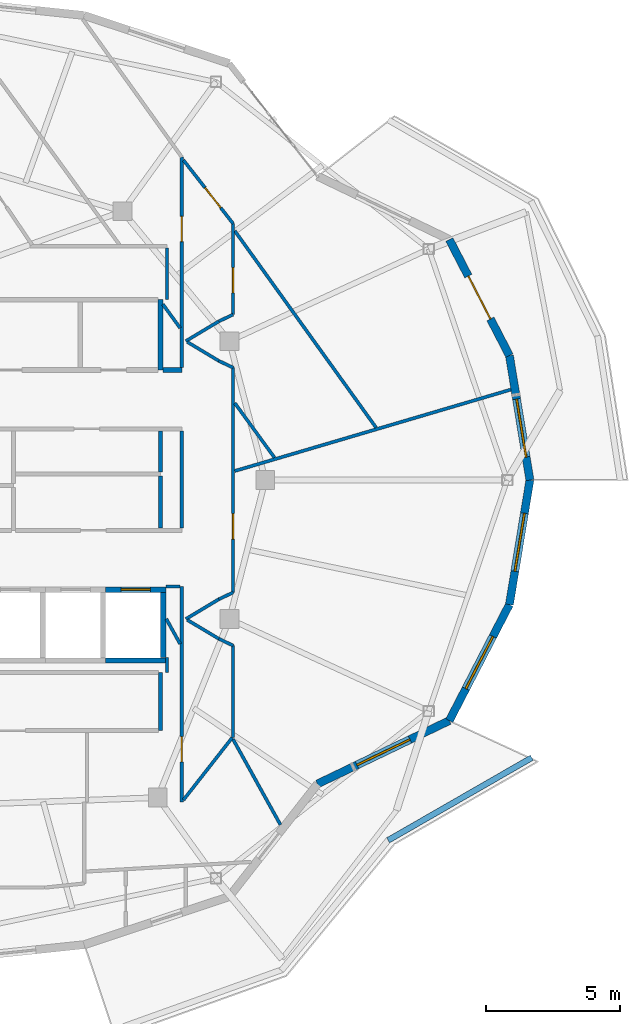
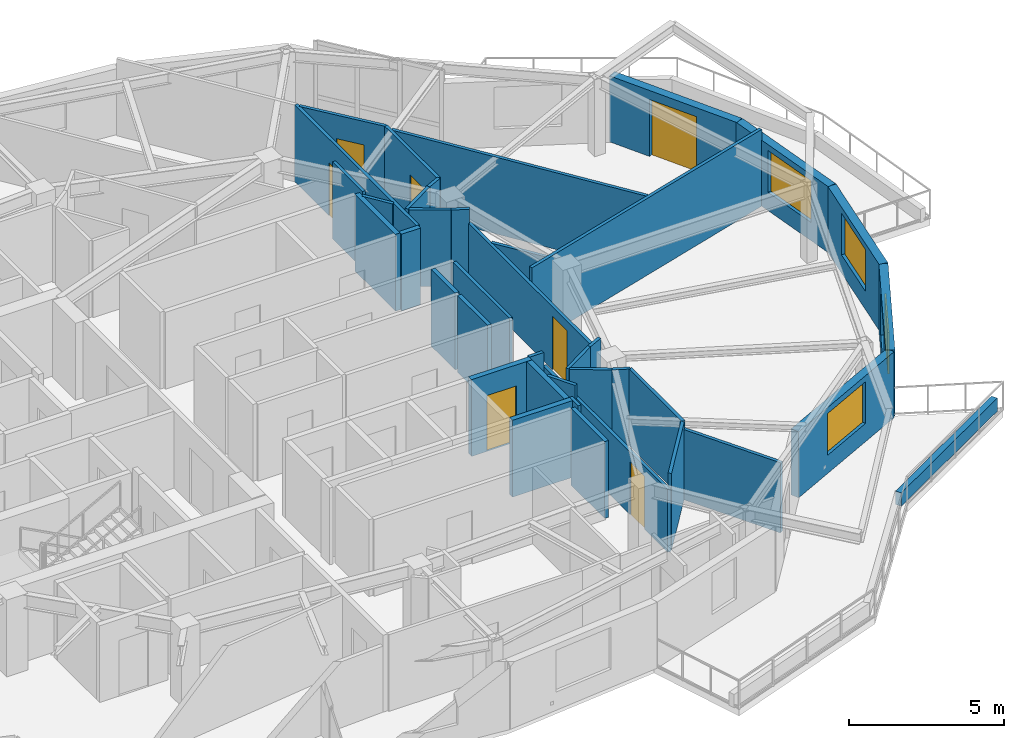
# One storey, part 10 of 14: 39 walls, 7 doors, 4 windows, 11 openings.
"""IFC4 building model written with IfcOpenShell, lengths in metres."""

from ifc_helpers import new_model, si_unit, direction, frame, frame_2d, origin, place, context, subcontext, project, spatial, rectangle, extrude, material, layer, layer_set, type_object, element, fill, save


model = new_model("IFC4")

# Units and contexts
model_context = context("Model", 3, precision=1e-05, world=origin(), true_north=direction((0.0, 1.0)))
body_context = subcontext(model_context, "Body", "Model", "MODEL_VIEW")
ifc_project = project(units=[si_unit("LENGTHUNIT", "METRE"), si_unit("AREAUNIT", "SQUARE_METRE"), si_unit("VOLUMEUNIT", "CUBIC_METRE"), si_unit("PLANEANGLEUNIT", "RADIAN"), si_unit("MASSUNIT", "GRAM", prefix="KILO")], contexts=[model_context])

# Site, building, storey
site_placement = place(None, origin())
site = spatial("IfcSite", under=ifc_project, at=site_placement, CompositionType="ELEMENT")
building_placement = place(site_placement, origin())
building = spatial("IfcBuilding", under=site, at=building_placement, Name="Kolvaren Gate Tower and Convention Centre", CompositionType="ELEMENT")
storey_placement = place(building_placement, frame((0.0, 0.0, 245.89990234375)))
storey = spatial("IfcBuildingStorey", under=building, at=storey_placement, Name="L66", CompositionType="ELEMENT", Elevation=245.89990234375)

# Walls
ifc_material_1 = material(Name="Autoclaved Aerated Masonry Blockwork Class 4 (4.0 MPa)", Category="masonry")
ifc_layer_1 = layer(ifc_material_1, 0.179931640625)
ifc_layer_set_1 = layer_set([ifc_layer_1], Name="Autoclaved Aerated Masonry Blockwork Class 4 (4.0 MPa)")
wall_type_1 = type_object("IfcWallType", Name="ARCH-WL-COMP-180", PredefinedType="SOLIDWALL", material=ifc_layer_set_1)
wall_1_placement = place(storey_placement, frame((38.800048828125, 31.1201171875, 0.0), z_axis=(0.0, 0.0, 1.0), x_axis=(0.0, 1.0, 0.0)))
element("IfcWall", 1, at=wall_1_placement, inside=storey, type_object=wall_type_1, Name="Interior Partition WL-L66-INT-027", PredefinedType="SOLIDWALL", context=body_context, shape_type="SweptSolid", body=[
    extrude(rectangle(XDim=2.6298828125, YDim=0.179931640625, at=frame_2d((1.31494140625, 0.0))), origin(), (0.0, 0.0, 1.0), 3.030029296875),
])
wall_2_placement = place(storey_placement, frame((38.89208984375, 31.1201171875, 0.0), z_axis=(0.0, 0.0, 1.0), x_axis=(1.0, 0.0, 0.0)))
element("IfcWall", 2, at=wall_2_placement, inside=storey, type_object=wall_type_1, Name="Interior Partition WL-L66-INT-028 (2)", PredefinedType="SOLIDWALL", context=body_context, shape_type="SweptSolid", body=[
    extrude(rectangle(XDim=0.7080078125, YDim=0.179931640625, at=frame_2d((0.35400390625, 0.0))), origin(), (0.0, 0.0, 1.0), 3.030029296875),
])
ifc_material_2 = material(Name="Fire-Rated Acoustic Gypsum Stud Partition", Category="gypsum")
ifc_layer_2 = layer(ifc_material_2, 0.1201171875)
ifc_layer_set_2 = layer_set([ifc_layer_2], Name="Fire-Rated Acoustic Gypsum Stud Partition")
wall_type_2 = type_object("IfcWallType", Name="ARCH-WL-PART-120", PredefinedType="PARTITIONING", material=ifc_layer_set_2)
wall_3_placement = place(storey_placement, frame((39.050048828125, 19.800048828125, 0.0), z_axis=(0.0, 0.0, 1.0), x_axis=(0.0, 1.0, 0.0)))
element("IfcWall", 3, at=wall_3_placement, inside=storey, type_object=wall_type_2, Name="Interior Partition WL-L66-INT-041", PredefinedType="PARTITIONING", context=body_context, shape_type="SweptSolid", body=[
    extrude(rectangle(XDim=0.56005859375, YDim=0.1201171875, at=frame_2d((0.280029296875, 0.0))), origin(), (0.0, 0.0, 1.0), 3.030029296875),
])
wall_4_placement = place(storey_placement, frame((39.050048828125, 33.75, 0.0), z_axis=(0.0, 0.0, 1.0), x_axis=(0.0, 1.0, 0.0)))
element("IfcWall", 4, at=wall_4_placement, inside=storey, type_object=wall_type_2, Name="Interior Partition WL-L66-INT-042", PredefinedType="PARTITIONING", context=body_context, shape_type="SweptSolid", body=[
    extrude(rectangle(XDim=1.93798828125, YDim=0.1201171875, at=frame_2d((0.968994140625, 0.0))), origin(), (0.0, 0.0, 1.0), 3.030029296875),
])

# Wall, opening, door
wall_5_placement = place(storey_placement, frame((39.60009765625, 14.951904296875, 0.0), z_axis=(0.0, 0.0, 1.0), x_axis=(0.0, 1.0, 0.0)))
wall_5 = element("IfcWall", 5, at=wall_5_placement, inside=storey, type_object=wall_type_2, Name="Interior Partition WL-L66-INT-043", PredefinedType="PARTITIONING", context=body_context, shape_type="SweptSolid", body=[
    extrude(rectangle(XDim=8.068115234375, YDim=0.1201171875, at=frame_2d((4.0341796875, 0.0))), origin(), (0.0, 0.0, 1.0), 2.47802734375),
])
opening_1_placement = place(wall_5_placement, frame((1.5, 0.0, 0.0)))
opening_1 = element("IfcOpeningElement", 6, at=opening_1_placement, cuts=wall_5, Name="Opening DR-01", PredefinedType="OPENING", context=body_context, shape_type="SweptSolid", body=[
    extrude(rectangle(XDim=0.949951171875, YDim=2.10009765625, at=frame_2d((0.47509765625, 1.050048828125))), frame((0.0, 0.070068359375, 0.0), z_axis=(0.0, -1.0, 0.0), x_axis=(1.0, 0.0, 0.0)), (0.0, 0.0, 1.0), 0.14013671875),
])
ifc_material_3 = material(Name="Painted Architectural Steelwork ASTM A500 Grade C 345 MPa", Category="steel")
door_type_1 = type_object("IfcDoorType", Name="ARCH-DR-RISER-950", OperationType="SINGLE_SWING_RIGHT", PredefinedType="DOOR", material=ifc_material_3)
door_1_placement = place(opening_1_placement, origin())
door_1 = element("IfcDoor", 7, at=door_1_placement, inside=storey, type_object=door_type_1, Name="Resident Sommelier Tasting Pantry Door", OperationType="SINGLE_SWING_RIGHT", OverallHeight=2.10009765625, OverallWidth=0.949951171875, PredefinedType="DOOR", context=body_context, shape_type="SweptSolid", body=[
    extrude(rectangle(XDim=0.949951171875, YDim=2.10009765625, at=frame_2d((0.47509765625, 1.050048828125))), frame((0.0, 0.02490234375, 0.0), z_axis=(0.0, -1.0, 0.0), x_axis=(1.0, 0.0, 0.0)), (0.0, 0.0, 1.0), 0.050048828125),
])
fill(opening_1, door_1)

# Wall
wall_6_placement = place(storey_placement, frame((39.60009765625, 25.197021484375, 0.0), z_axis=(0.0, 0.0, 1.0), x_axis=(0.0, 1.0, 0.0)))
element("IfcWall", 8, at=wall_6_placement, inside=storey, type_object=wall_type_2, Name="Interior Partition WL-L66-INT-044", PredefinedType="PARTITIONING", context=body_context, shape_type="SweptSolid", body=[
    extrude(rectangle(XDim=3.64599609375, YDim=0.1201171875, at=frame_2d((1.822998046875, 0.0))), origin(), (0.0, 0.0, 1.0), 3.030029296875),
])

# Wall, opening, door
wall_7_placement = place(storey_placement, frame((39.60009765625, 31.2119140625, 0.0), z_axis=(0.0, 0.0, 1.0), x_axis=(0.0, 1.0, 0.0)))
wall_7 = element("IfcWall", 9, at=wall_7_placement, inside=storey, type_object=wall_type_2, Name="Interior Partition WL-L66-INT-045", PredefinedType="PARTITIONING", context=body_context, shape_type="SweptSolid", body=[
    extrude(rectangle(XDim=7.87109375, YDim=0.1201171875, at=frame_2d((3.935546875, 0.0))), origin(), (0.0, 0.0, 1.0), 3.030029296875),
])
opening_2_placement = place(wall_7_placement, frame((4.7060546875, 0.0, 0.0)))
opening_2 = element("IfcOpeningElement", 10, at=opening_2_placement, cuts=wall_7, Name="Opening DR-01", PredefinedType="OPENING", context=body_context, shape_type="SweptSolid", body=[
    extrude(rectangle(XDim=0.949951171875, YDim=2.10009765625, at=frame_2d((0.47509765625, 1.050048828125))), frame((0.0, 0.070068359375, 0.0), z_axis=(0.0, -1.0, 0.0), x_axis=(1.0, 0.0, 0.0)), (0.0, 0.0, 1.0), 0.14013671875),
])
door_2_placement = place(opening_2_placement, origin())
door_2 = element("IfcDoor", 11, at=door_2_placement, inside=storey, type_object=door_type_1, Name="Resident Quiet Study Office Door", OperationType="SINGLE_SWING_RIGHT", OverallHeight=2.10009765625, OverallWidth=0.949951171875, PredefinedType="DOOR", context=body_context, shape_type="SweptSolid", body=[
    extrude(rectangle(XDim=0.949951171875, YDim=2.10009765625, at=frame_2d((0.47509765625, 1.050048828125))), frame((0.0, 0.02490234375, 0.0), z_axis=(0.0, -1.0, 0.0), x_axis=(1.0, 0.0, 0.0)), (0.0, 0.0, 1.0), 0.050048828125),
])
fill(opening_2, door_2)

wall_8_placement = place(storey_placement, frame((39.662109375, 38.96875, 0.0), z_axis=(0.0, 0.0, 1.0), x_axis=(0.616500468458, -0.787354540465, 0.0)))
wall_8 = element("IfcWall", 12, at=wall_8_placement, inside=storey, type_object=wall_type_2, Name="Interior Partition WL-L66-INT-046", PredefinedType="PARTITIONING", context=body_context, shape_type="SweptSolid", body=[
    extrude(rectangle(XDim=3.013671875, YDim=0.1201171875, at=frame_2d((1.5068359375, 0.0))), origin(), (0.0, 0.0, 1.0), 3.030029296875),
])
opening_3_placement = place(wall_8_placement, frame((1.311767578125, 0.0, 0.0)))
opening_3 = element("IfcOpeningElement", 13, at=opening_3_placement, cuts=wall_8, Name="Opening DR-01", PredefinedType="OPENING", context=body_context, shape_type="SweptSolid", body=[
    extrude(rectangle(XDim=0.949951171875, YDim=2.10009765625, at=frame_2d((0.47509765625, 1.050048828125))), frame((0.0, 0.070068359375, 0.0), z_axis=(0.0, -1.0, 0.0), x_axis=(1.0, 0.0, 0.0)), (0.0, 0.0, 1.0), 0.14013671875),
])
door_3_placement = place(opening_3_placement, origin())
door_3 = element("IfcDoor", 14, at=door_3_placement, inside=storey, type_object=door_type_1, Name="Resident Private Study Door", OperationType="SINGLE_SWING_LEFT", OverallHeight=2.10009765625, OverallWidth=0.949951171875, PredefinedType="DOOR", context=body_context, shape_type="SweptSolid", body=[
    extrude(rectangle(XDim=0.949951171875, YDim=2.10009765625, at=frame_2d((0.47509765625, 1.050048828125))), frame((0.0, 0.02490234375, 0.0), z_axis=(0.0, -1.0, 0.0), x_axis=(1.0, 0.0, 0.0)), (0.0, 0.0, 1.0), 0.050048828125),
])
fill(opening_3, door_3)

# Wall
wall_9_placement = place(storey_placement, frame((41.52001953125, 17.360107421875, 0.0), z_axis=(0.0, 0.0, 1.0), x_axis=(0.0, 1.0, 0.0)))
element("IfcWall", 15, at=wall_9_placement, inside=storey, type_object=wall_type_2, Name="Interior Partition WL-L66-INT-047", PredefinedType="PARTITIONING", context=body_context, shape_type="SweptSolid", body=[
    extrude(rectangle(XDim=3.44677734375, YDim=0.1201171875, at=frame_2d((1.723388671875, 0.0))), origin(), (0.0, 0.0, 1.0), 3.030029296875),
])

# Wall, opening, door
wall_10_placement = place(storey_placement, frame((41.52001953125, 22.7939453125, 0.0), z_axis=(0.0, 0.0, 1.0), x_axis=(0.0, 1.0, 0.0)))
wall_10 = element("IfcWall", 16, at=wall_10_placement, inside=storey, type_object=wall_type_2, Name="Interior Partition WL-L66-INT-048", PredefinedType="PARTITIONING", context=body_context, shape_type="SweptSolid", body=[
    extrude(rectangle(XDim=8.412109375, YDim=0.1201171875, at=frame_2d((4.2060546875, 0.0))), origin(), (0.0, 0.0, 1.0), 2.47802734375),
])
opening_4_placement = place(wall_10_placement, frame((1.99853515625, 0.0, 0.0)))
opening_4 = element("IfcOpeningElement", 17, at=opening_4_placement, cuts=wall_10, Name="Opening DR-01", PredefinedType="OPENING", context=body_context, shape_type="SweptSolid", body=[
    extrude(rectangle(XDim=0.949951171875, YDim=2.10009765625, at=frame_2d((0.47509765625, 1.050048828125))), frame((0.0, 0.070068359375, 0.0), z_axis=(0.0, -1.0, 0.0), x_axis=(1.0, 0.0, 0.0)), (0.0, 0.0, 1.0), 0.14013671875),
])
door_4_placement = place(opening_4_placement, origin())
door_4 = element("IfcDoor", 18, at=door_4_placement, inside=storey, type_object=door_type_1, Name="Resident Private Study and Home Office Door", OperationType="SINGLE_SWING_LEFT", OverallHeight=2.10009765625, OverallWidth=0.949951171875, PredefinedType="DOOR", context=body_context, shape_type="SweptSolid", body=[
    extrude(rectangle(XDim=0.949951171875, YDim=2.10009765625, at=frame_2d((0.47509765625, 1.050048828125))), frame((0.0, 0.02490234375, 0.0), z_axis=(0.0, -1.0, 0.0), x_axis=(1.0, 0.0, 0.0)), (0.0, 0.0, 1.0), 0.050048828125),
])
fill(opening_4, door_4)

wall_11_placement = place(storey_placement, frame((41.52001953125, 33.193115234375, 0.0), z_axis=(0.0, 0.0, 1.0), x_axis=(0.0, 1.0, 0.0)))
wall_11 = element("IfcWall", 19, at=wall_11_placement, inside=storey, type_object=wall_type_2, Name="Interior Partition WL-L66-INT-049", PredefinedType="PARTITIONING", context=body_context, shape_type="SweptSolid", body=[
    extrude(rectangle(XDim=3.40283203125, YDim=0.1201171875, at=frame_2d((1.701416015625, 0.0))), origin(), (0.0, 0.0, 1.0), 3.030029296875),
])
opening_5_placement = place(wall_11_placement, frame((0.806396484375, 0.0, 0.0)))
opening_5 = element("IfcOpeningElement", 20, at=opening_5_placement, cuts=wall_11, Name="Opening DR-01", PredefinedType="OPENING", context=body_context, shape_type="SweptSolid", body=[
    extrude(rectangle(XDim=0.949951171875, YDim=2.10009765625, at=frame_2d((0.47509765625, 1.050048828125))), frame((0.0, 0.070068359375, 0.0), z_axis=(0.0, -1.0, 0.0), x_axis=(1.0, 0.0, 0.0)), (0.0, 0.0, 1.0), 0.14013671875),
])
door_5_placement = place(opening_5_placement, origin())
door_5 = element("IfcDoor", 21, at=door_5_placement, inside=storey, type_object=door_type_1, Name="Resident Sommelier Tasting Pantry Door", OperationType="SINGLE_SWING_RIGHT", OverallHeight=2.10009765625, OverallWidth=0.949951171875, PredefinedType="DOOR", context=body_context, shape_type="SweptSolid", body=[
    extrude(rectangle(XDim=0.949951171875, YDim=2.10009765625, at=frame_2d((0.47509765625, 1.050048828125))), frame((0.0, 0.02490234375, 0.0), z_axis=(0.0, -1.0, 0.0), x_axis=(1.0, 0.0, 0.0)), (0.0, 0.0, 1.0), 0.050048828125),
])
fill(opening_5, door_5)

# Walls
wall_12_placement = place(storey_placement, frame((40.986083984375, 32.93994140625, 0.0), z_axis=(0.0, 0.0, 1.0), x_axis=(0.90356951601, 0.428441512621, 0.0)))
element("IfcWall", 22, at=wall_12_placement, inside=storey, type_object=wall_type_2, Name="Interior Partition WL-L66-INT-050", PredefinedType="PARTITIONING", context=body_context, shape_type="SweptSolid", body=[
    extrude(rectangle(XDim=0.5908203125, YDim=0.1201171875, at=frame_2d((0.29541015625, 0.0))), origin(), (0.0, 0.0, 1.0), 3.030029296875),
])
wall_13_placement = place(storey_placement, frame((39.75, 32.198974609375, 0.0), z_axis=(0.0, 0.0, 1.0), x_axis=(0.857702120906, 0.514146935996, 0.0)))
element("IfcWall", 23, at=wall_13_placement, inside=storey, type_object=wall_type_2, Name="Interior Partition WL-L66-INT-051", PredefinedType="PARTITIONING", context=body_context, shape_type="SweptSolid", body=[
    extrude(rectangle(XDim=1.441162109375, YDim=0.1201171875, at=frame_2d((0.720703125, 0.0))), origin(), (0.0, 0.0, 1.0), 3.030029296875),
])
wall_14_placement = place(storey_placement, frame((39.810302734375, 32.162841796875, 0.0), z_axis=(0.0, 0.0, 1.0), x_axis=(0.858011245414, -0.513630901273, 0.0)))
element("IfcWall", 24, at=wall_14_placement, inside=storey, type_object=wall_type_2, Name="Interior Partition WL-L66-INT-052", PredefinedType="PARTITIONING", context=body_context, shape_type="SweptSolid", body=[
    extrude(rectangle(XDim=1.370361328125, YDim=0.1201171875, at=frame_2d((0.68505859375, 0.0))), origin(), (0.0, 0.0, 1.0), 3.030029296875),
])
for number, where, z_axis, x_axis, name in (
    (25, (40.986083984375, 31.458984375, 0.0), (0.0, 0.0, 1.0), (0.903729424576, -0.428104107847, 0.0), "Interior Partition WL-L66-INT-053"),
    (26, (40.986083984375, 22.541015625, 0.0), (0.0, 0.0, 1.0), (0.903729424576, 0.428104107847, 0.0), "Interior Partition WL-L66-INT-054"),
):
    element("IfcWall", number, at=place(storey_placement, frame(where, z_axis=z_axis, x_axis=x_axis)), inside=storey, type_object=wall_type_2, Name=name, PredefinedType="PARTITIONING", context=body_context, shape_type="SweptSolid", body=[
        extrude(rectangle(XDim=0.5908203125, YDim=0.1201171875, at=frame_2d((0.29541015625, 0.0))), origin(), (0.0, 0.0, 1.0), 3.030029296875),
    ])
wall_15_placement = place(storey_placement, frame((39.75, 21.800048828125, 0.0), z_axis=(0.0, 0.0, 1.0), x_axis=(0.857702120906, 0.514146935996, 0.0)))
element("IfcWall", 27, at=wall_15_placement, inside=storey, type_object=wall_type_2, Name="Interior Partition WL-L66-INT-055", PredefinedType="PARTITIONING", context=body_context, shape_type="SweptSolid", body=[
    extrude(rectangle(XDim=1.441162109375, YDim=0.1201171875, at=frame_2d((0.720703125, 0.0))), origin(), (0.0, 0.0, 1.0), 3.030029296875),
])
wall_16_placement = place(storey_placement, frame((39.810302734375, 21.763916015625, 0.0), z_axis=(0.0, 0.0, 1.0), x_axis=(0.858011245414, -0.513630901273, 0.0)))
element("IfcWall", 28, at=wall_16_placement, inside=storey, type_object=wall_type_2, Name="Interior Partition WL-L66-INT-056", PredefinedType="PARTITIONING", context=body_context, shape_type="SweptSolid", body=[
    extrude(rectangle(XDim=1.370361328125, YDim=0.1201171875, at=frame_2d((0.68505859375, 0.0))), origin(), (0.0, 0.0, 1.0), 3.030029296875),
])
wall_17_placement = place(storey_placement, frame((40.986083984375, 21.06005859375, 0.0), z_axis=(0.0, 0.0, 1.0), x_axis=(0.90356951601, -0.428441512621, 0.0)))
element("IfcWall", 29, at=wall_17_placement, inside=storey, type_object=wall_type_2, Name="Interior Partition WL-L66-INT-057", PredefinedType="PARTITIONING", context=body_context, shape_type="SweptSolid", body=[
    extrude(rectangle(XDim=0.5908203125, YDim=0.1201171875, at=frame_2d((0.29541015625, 0.0))), origin(), (0.0, 0.0, 1.0), 3.030029296875),
])
wall_18_placement = place(storey_placement, frame((39.662109375, 15.03125, 0.0), z_axis=(0.0, 0.0, 1.0), x_axis=(0.616497420092, 0.787356927334, 0.0)))
element("IfcWall", 30, at=wall_18_placement, inside=storey, type_object=wall_type_2, Name="Interior Partition WL-L66-INT-058", PredefinedType="PARTITIONING", context=body_context, shape_type="SweptSolid", body=[
    extrude(rectangle(XDim=2.957763671875, YDim=0.1201171875, at=frame_2d((1.47900390625, 0.0))), origin(), (0.0, 0.0, 1.0), 3.030029296875),
])
wall_19_placement = place(storey_placement, frame((39.0, 23.02001953125, 0.0), z_axis=(0.0, 0.0, 1.0), x_axis=(1.0, 0.0, 0.0)))
element("IfcWall", 31, at=wall_19_placement, inside=storey, type_object=wall_type_2, Name="Interior Partition WL-L66-INT-059", PredefinedType="PARTITIONING", context=body_context, shape_type="SweptSolid", body=[
    extrude(rectangle(XDim=0.5380859375, YDim=0.1201171875, at=frame_2d((0.26904296875, 0.0))), origin(), (0.0, 0.0, 1.0), 3.030029296875),
])
wall_20_placement = place(storey_placement, frame((41.58203125, 27.339111328125, 0.0), z_axis=(0.0, 0.0, 1.0), x_axis=(0.959173635638, 0.282817850741, 0.0)))
element("IfcWall", 32, at=wall_20_placement, inside=storey, type_object=wall_type_2, Name="Interior Partition WL-L66-INT-071", PredefinedType="PARTITIONING", context=body_context, shape_type="SweptSolid", body=[
    extrude(rectangle(XDim=10.771484375, YDim=0.1201171875, at=frame_2d((5.3857421875, 0.0))), origin(), (0.0, 0.0, 1.0), 3.030029296875),
])
wall_21_placement = place(storey_placement, frame((39.02001953125, 21.802978515625, 0.0), z_axis=(0.0, 0.0, 1.0), x_axis=(0.485021793049, -0.874502064187, 0.0)))
element("IfcWall", 33, at=wall_21_placement, inside=storey, type_object=wall_type_2, Name="Interior Partition WL-L66-INT-079", PredefinedType="PARTITIONING", context=body_context, shape_type="SweptSolid", body=[
    extrude(rectangle(XDim=1.068115234375, YDim=0.1201171875, at=frame_2d((0.5341796875, 0.0))), origin(), (0.0, 0.0, 1.0), 3.030029296875),
])
wall_22_placement = place(storey_placement, frame((41.51708984375, 17.2998046875, 0.0), z_axis=(0.0, 0.0, 1.0), x_axis=(0.484911097078, -0.874563449917, 0.0)))
element("IfcWall", 34, at=wall_22_placement, inside=storey, type_object=wall_type_2, Name="Interior Partition WL-L66-INT-080", PredefinedType="PARTITIONING", context=body_context, shape_type="SweptSolid", body=[
    extrude(rectangle(XDim=3.65478515625, YDim=0.1201171875, at=frame_2d((1.827392578125, 0.0))), origin(), (0.0, 0.0, 1.0), 2.77001953125),
])
wall_23_placement = place(storey_placement, frame((38.89208984375, 33.574951171875, 0.0), z_axis=(0.0, 0.0, 1.0), x_axis=(0.5886213307, -0.808408887287, 0.0)))
element("IfcWall", 35, at=wall_23_placement, inside=storey, type_object=wall_type_2, Name="Interior Partition WL-L66-INT-082", PredefinedType="PARTITIONING", context=body_context, shape_type="SweptSolid", body=[
    extrude(rectangle(XDim=1.097412109375, YDim=0.1201171875, at=frame_2d((0.548828125, 0.0))), origin(), (0.0, 0.0, 1.0), 3.030029296875),
])
wall_24_placement = place(storey_placement, frame((41.58203125, 29.880859375, 0.0), z_axis=(0.0, 0.0, 1.0), x_axis=(0.588620460465, -0.808409520925, 0.0)))
element("IfcWall", 36, at=wall_24_placement, inside=storey, type_object=wall_type_2, Name="Interior Partition WL-L66-INT-083", PredefinedType="PARTITIONING", context=body_context, shape_type="SweptSolid", body=[
    extrude(rectangle(XDim=2.522705078125, YDim=0.1201171875, at=frame_2d((1.26123046875, 0.0))), origin(), (0.0, 0.0, 1.0), 2.47802734375),
])
wall_25_placement = place(storey_placement, frame((41.58203125, 36.32373046875, 0.0), z_axis=(0.0, 0.0, 1.0), x_axis=(0.583386800507, -0.812194460086, 0.0)))
element("IfcWall", 37, at=wall_25_placement, inside=storey, type_object=wall_type_2, Name="Interior Partition WL-L66-INT-085", PredefinedType="PARTITIONING", context=body_context, shape_type="SweptSolid", body=[
    extrude(rectangle(XDim=9.063232421875, YDim=0.1201171875, at=frame_2d((4.53173828125, 0.0))), origin(), (0.0, 0.0, 1.0), 3.030029296875),
])
ifc_material_4 = material(Name="Piedmont Cream Honed Limestone Cladding", Category="masonry")
ifc_layer_3 = layer(ifc_material_4, 0.219970703125)
ifc_layer_set_3 = layer_set([ifc_layer_3], Name="Piedmont Cream Honed Limestone Cladding")
wall_type_3 = type_object("IfcWallType", Name="ARCH-WL-PLANTER-220", PredefinedType="PARAPET", material=ifc_layer_set_3)
wall_26_placement = place(storey_placement, frame((47.3212890625, 13.5205078125, 0.0), z_axis=(0.0, 0.0, 1.0), x_axis=(0.866901621005, 0.49847926687, 0.0)))
element("IfcWall", 38, at=wall_26_placement, inside=storey, type_object=wall_type_3, Name="Vertical-Forest Balcony Stone Planter Kerb PK-L66-4.3", PredefinedType="PARAPET", context=body_context, shape_type="SweptSolid", body=[
    extrude(rectangle(XDim=6.196533203125, YDim=0.219970703125, at=frame_2d((3.09814453125, 0.0))), origin(), (0.0, 0.0, 1.0), 0.52001953125),
])

# Wall, opening, door
ifc_layer_4 = layer(ifc_material_1, 0.199951171875)
ifc_layer_set_4 = layer_set([ifc_layer_4], Name="Autoclaved Aerated Masonry Blockwork Class 4 (4.0 MPa)")
wall_type_4 = type_object("IfcWallType", Name="ARCH-WL-SHAFT-200", PredefinedType="SOLIDWALL", material=ifc_layer_set_4)
wall_27_placement = place(storey_placement, frame((36.75, 22.89990234375, 0.0), z_axis=(0.0, 0.0, 1.0), x_axis=(1.0, 0.0, 0.0)))
wall_27 = element("IfcWall", 39, at=wall_27_placement, inside=storey, type_object=wall_type_4, Name="Elevator PL-12 L66 Fire Shaft Wall N", PredefinedType="SOLIDWALL", context=body_context, shape_type="SweptSolid", body=[
    extrude(rectangle(XDim=2.25, YDim=0.199951171875, at=frame_2d((1.125, 0.0))), origin(), (0.0, 0.0, 1.0), 3.030029296875),
])
opening_6_placement = place(wall_27_placement, frame((0.574951171875, 0.0, 0.0)))
opening_6 = element("IfcOpeningElement", 40, at=opening_6_placement, cuts=wall_27, Name="Opening LD", PredefinedType="OPENING", context=body_context, shape_type="SweptSolid", body=[
    extrude(rectangle(XDim=1.10009765625, YDim=2.199951171875, at=frame_2d((0.550048828125, 1.10009765625))), frame((0.0, 0.10986328125, 0.0), z_axis=(0.0, -1.0, 0.0), x_axis=(1.0, 0.0, 0.0)), (0.0, 0.0, 1.0), 0.219970703125),
])
ifc_material_5 = material(Name="Brushed Stainless Steel Grade 316L", Category="steel")
door_type_2 = type_object("IfcDoorType", Name="ARCH-DR-LIFT-1100", OperationType="SLIDING_TO_LEFT", PredefinedType="DOOR", material=ifc_material_5)
door_6_placement = place(opening_6_placement, origin())
door_6 = element("IfcDoor", 41, at=door_6_placement, inside=storey, type_object=door_type_2, Name="Elevator PL-12 L66 Sliding Landing Door", OperationType="SLIDING_TO_LEFT", OverallHeight=2.199951171875, OverallWidth=1.10009765625, PredefinedType="DOOR", context=body_context, shape_type="SweptSolid", body=[
    extrude(rectangle(XDim=1.10009765625, YDim=2.199951171875, at=frame_2d((0.550048828125, 1.10009765625))), frame((0.0, 0.02490234375, 0.0), z_axis=(0.0, -1.0, 0.0), x_axis=(1.0, 0.0, 0.0)), (0.0, 0.0, 1.0), 0.050048828125),
])
fill(opening_6, door_6)

# Walls
wall_28_placement = place(storey_placement, frame((36.75, 20.25, 0.0), z_axis=(0.0, 0.0, 1.0), x_axis=(1.0, 0.0, 0.0)))
element("IfcWall", 42, at=wall_28_placement, inside=storey, type_object=wall_type_4, Name="Elevator PL-12 L66 Fire Shaft Wall S", PredefinedType="SOLIDWALL", context=body_context, shape_type="SweptSolid", body=[
    extrude(rectangle(XDim=2.25, YDim=0.199951171875, at=frame_2d((1.125, 0.0))), origin(), (0.0, 0.0, 1.0), 3.030029296875),
])
wall_29_placement = place(storey_placement, frame((38.89990234375, 20.360107421875, 0.0), z_axis=(0.0, 0.0, 1.0), x_axis=(0.0, 1.0, 0.0)))
element("IfcWall", 43, at=wall_29_placement, inside=storey, type_object=wall_type_4, Name="Elevator PL-12 L66 Fire Shaft Wall E", PredefinedType="SOLIDWALL", context=body_context, shape_type="SweptSolid", body=[
    extrude(rectangle(XDim=2.429931640625, YDim=0.199951171875, at=frame_2d((1.21484375, 0.0))), origin(), (0.0, 0.0, 1.0), 3.030029296875),
])

# Wall, opening, window
ifc_layer_5 = layer(ifc_material_4, 0.300048828125)
ifc_layer_set_5 = layer_set([ifc_layer_5], Name="Piedmont Cream Honed Limestone Cladding")
wall_type_5 = type_object("IfcWallType", Name="ARCH-WL-STONE-300", PredefinedType="SOLIDWALL", material=ifc_layer_set_5)
wall_30_placement = place(storey_placement, frame((51.8583984375, 31.65869140625, 0.0), z_axis=(0.0, 0.0, 1.0), x_axis=(0.162369371657, -0.986730047758, 0.0)))
wall_30 = element("IfcWall", 44, at=wall_30_placement, inside=storey, type_object=wall_type_5, Name="Tower L66 Honed Stone Spandrel Wall EW-00", PredefinedType="SOLIDWALL", context=body_context, shape_type="SweptSolid", body=[
    extrude(rectangle(XDim=4.721435546875, YDim=0.300048828125, at=frame_2d((2.36083984375, 0.0))), origin(), (0.0, 0.0, 1.0), 2.60498046875),
])
opening_7_placement = place(wall_30_placement, frame((1.64990234375, 0.0, 0.719970703125)))
opening_7 = element("IfcOpeningElement", 45, at=opening_7_placement, cuts=wall_30, Name="Opening W-03", PredefinedType="OPENING", context=body_context, shape_type="SweptSolid", body=[
    extrude(rectangle(XDim=2.199951171875, YDim=1.64990234375, at=frame_2d((1.10009765625, 0.824951171875))), frame((0.0, 0.159912109375, 0.0), z_axis=(0.0, -1.0, 0.0), x_axis=(1.0, 0.0, 0.0)), (0.0, 0.0, 1.0), 0.320068359375),
])
ifc_material_6 = material(Name="Low-E Triple Insulated Glazing Unit 44 mm", Category="glass")
window_type = type_object("IfcWindowType", Name="ARCH-WN-RES-2200", PartitioningType="SINGLE_PANEL", PredefinedType="WINDOW", material=ifc_material_6)
window_1_placement = place(opening_7_placement, origin())
window_1 = element("IfcWindow", 46, at=window_1_placement, inside=storey, type_object=window_type, Name="Tower L66 Punched Stone Facade Window W-00", OverallHeight=1.64990234375, OverallWidth=2.199951171875, PartitioningType="SINGLE_PANEL", PredefinedType="WINDOW", context=body_context, shape_type="SweptSolid", body=[
    extrude(rectangle(XDim=2.199951171875, YDim=1.64990234375, at=frame_2d((1.10009765625, 0.824951171875))), frame((0.0, 0.030029296875, 0.0), z_axis=(0.0, -1.0, 0.0), x_axis=(1.0, 0.0, 0.0)), (0.0, 0.0, 1.0), 0.06005859375),
])
fill(opening_7, window_1)

# Wall, opening, door
wall_31_placement = place(storey_placement, frame((49.610595703125, 36.0, 0.0), z_axis=(0.0, 0.0, 1.0), x_axis=(0.459793771602, -0.888025724625, 0.0)))
wall_31 = element("IfcWall", 47, at=wall_31_placement, inside=storey, type_object=wall_type_5, Name="Tower L66 Honed Stone Spandrel Wall EW-01", PredefinedType="SOLIDWALL", context=body_context, shape_type="SweptSolid", body=[
    extrude(rectangle(XDim=4.888671875, YDim=0.300048828125, at=frame_2d((2.4443359375, 0.0))), origin(), (0.0, 0.0, 1.0), 2.60498046875),
])
opening_8_placement = place(wall_31_placement, frame((1.5439453125, 0.0, 0.0)))
opening_8 = element("IfcOpeningElement", 48, at=opening_8_placement, cuts=wall_31, Name="Opening DB-01", PredefinedType="OPENING", context=body_context, shape_type="SweptSolid", body=[
    extrude(rectangle(XDim=1.800048828125, YDim=2.25, at=frame_2d((0.89990234375, 1.125))), frame((0.0, 0.159912109375, 0.0), z_axis=(0.0, -1.0, 0.0), x_axis=(1.0, 0.0, 0.0)), (0.0, 0.0, 1.0), 0.320068359375),
])
ifc_material_7 = material(Name="Anodized Architectural Aluminium Alloy 6063-T6", Category="aluminium")
door_type_3 = type_object("IfcDoorType", Name="ARCH-DR-BALC-1800", OperationType="SLIDING_TO_LEFT", PredefinedType="DOOR", material=ifc_material_7)
door_7_placement = place(opening_8_placement, origin())
door_7 = element("IfcDoor", 49, at=door_7_placement, inside=storey, type_object=door_type_3, Name="Planted Sky Terrace Access Door DB-L66-01", OperationType="SLIDING_TO_LEFT", OverallHeight=2.25, OverallWidth=1.800048828125, PredefinedType="DOOR", context=body_context, shape_type="SweptSolid", body=[
    extrude(rectangle(XDim=1.800048828125, YDim=2.25, at=frame_2d((0.89990234375, 1.125))), frame((0.0, 0.02490234375, 0.0), z_axis=(0.0, -1.0, 0.0), x_axis=(1.0, 0.0, 0.0)), (0.0, 0.0, 1.0), 0.050048828125),
])
fill(opening_8, door_7)

# Wall, opening, window
wall_32_placement = place(storey_placement, frame((44.67724609375, 15.629638671875, 0.0), z_axis=(0.0, 0.0, 1.0), x_axis=(0.901355238351, 0.433080517106, 0.0)))
wall_32 = element("IfcWall", 50, at=wall_32_placement, inside=storey, type_object=wall_type_5, Name="Tower L66 Honed Stone Spandrel Wall EW-21", PredefinedType="SOLIDWALL", context=body_context, shape_type="SweptSolid", body=[
    extrude(rectangle(XDim=5.47314453125, YDim=0.300048828125, at=frame_2d((2.736572265625, 0.0))), origin(), (0.0, 0.0, 1.0), 2.60498046875),
])
opening_9_placement = place(wall_32_placement, frame((1.636962890625, 0.0, 0.719970703125)))
opening_9 = element("IfcOpeningElement", 51, at=opening_9_placement, cuts=wall_32, Name="Opening W-03", PredefinedType="OPENING", context=body_context, shape_type="SweptSolid", body=[
    extrude(rectangle(XDim=2.199951171875, YDim=1.64990234375, at=frame_2d((1.10009765625, 0.824951171875))), frame((0.0, 0.159912109375, 0.0), z_axis=(0.0, -1.0, 0.0), x_axis=(1.0, 0.0, 0.0)), (0.0, 0.0, 1.0), 0.320068359375),
])
window_2_placement = place(opening_9_placement, origin())
window_2 = element("IfcWindow", 52, at=window_2_placement, inside=storey, type_object=window_type, Name="Tower L66 Punched Stone Facade Window W-21", OverallHeight=1.64990234375, OverallWidth=2.199951171875, PartitioningType="SINGLE_PANEL", PredefinedType="WINDOW", context=body_context, shape_type="SweptSolid", body=[
    extrude(rectangle(XDim=2.199951171875, YDim=1.64990234375, at=frame_2d((1.10009765625, 0.824951171875))), frame((0.0, 0.030029296875, 0.0), z_axis=(0.0, -1.0, 0.0), x_axis=(1.0, 0.0, 0.0)), (0.0, 0.0, 1.0), 0.06005859375),
])
fill(opening_9, window_2)

wall_33_placement = place(storey_placement, frame((49.610595703125, 18.0, 0.0), z_axis=(0.0, 0.0, 1.0), x_axis=(0.459793771602, 0.888025724625, 0.0)))
wall_33 = element("IfcWall", 53, at=wall_33_placement, inside=storey, type_object=wall_type_5, Name="Tower L66 Honed Stone Spandrel Wall EW-22", PredefinedType="SOLIDWALL", context=body_context, shape_type="SweptSolid", body=[
    extrude(rectangle(XDim=4.888671875, YDim=0.300048828125, at=frame_2d((2.4443359375, 0.0))), origin(), (0.0, 0.0, 1.0), 2.60498046875),
])
opening_10_placement = place(wall_33_placement, frame((1.343994140625, 0.0, 0.719970703125)))
opening_10 = element("IfcOpeningElement", 54, at=opening_10_placement, cuts=wall_33, Name="Opening W-03", PredefinedType="OPENING", context=body_context, shape_type="SweptSolid", body=[
    extrude(rectangle(XDim=2.199951171875, YDim=1.64990234375, at=frame_2d((1.10009765625, 0.824951171875))), frame((0.0, 0.159912109375, 0.0), z_axis=(0.0, -1.0, 0.0), x_axis=(1.0, 0.0, 0.0)), (0.0, 0.0, 1.0), 0.320068359375),
])
window_3_placement = place(opening_10_placement, origin())
window_3 = element("IfcWindow", 55, at=window_3_placement, inside=storey, type_object=window_type, Name="Tower L66 Punched Stone Facade Window W-22", OverallHeight=1.64990234375, OverallWidth=2.199951171875, PartitioningType="SINGLE_PANEL", PredefinedType="WINDOW", context=body_context, shape_type="SweptSolid", body=[
    extrude(rectangle(XDim=2.199951171875, YDim=1.64990234375, at=frame_2d((1.10009765625, 0.824951171875))), frame((0.0, 0.030029296875, 0.0), z_axis=(0.0, -1.0, 0.0), x_axis=(1.0, 0.0, 0.0)), (0.0, 0.0, 1.0), 0.06005859375),
])
fill(opening_10, window_3)

wall_34_placement = place(storey_placement, frame((51.8583984375, 22.34130859375, 0.0), z_axis=(0.0, 0.0, 1.0), x_axis=(0.162369371657, 0.986730047758, 0.0)))
wall_34 = element("IfcWall", 56, at=wall_34_placement, inside=storey, type_object=wall_type_5, Name="Tower L66 Honed Stone Spandrel Wall EW-23", PredefinedType="SOLIDWALL", context=body_context, shape_type="SweptSolid", body=[
    extrude(rectangle(XDim=4.721435546875, YDim=0.300048828125, at=frame_2d((2.36083984375, 0.0))), origin(), (0.0, 0.0, 1.0), 2.60498046875),
])
opening_11_placement = place(wall_34_placement, frame((1.260986328125, 0.0, 0.719970703125)))
opening_11 = element("IfcOpeningElement", 57, at=opening_11_placement, cuts=wall_34, Name="Opening W-03", PredefinedType="OPENING", context=body_context, shape_type="SweptSolid", body=[
    extrude(rectangle(XDim=2.199951171875, YDim=1.64990234375, at=frame_2d((1.10009765625, 0.824951171875))), frame((0.0, 0.159912109375, 0.0), z_axis=(0.0, -1.0, 0.0), x_axis=(1.0, 0.0, 0.0)), (0.0, 0.0, 1.0), 0.320068359375),
])
window_4_placement = place(opening_11_placement, origin())
window_4 = element("IfcWindow", 58, at=window_4_placement, inside=storey, type_object=window_type, Name="Tower L66 Punched Stone Facade Window W-23", OverallHeight=1.64990234375, OverallWidth=2.199951171875, PartitioningType="SINGLE_PANEL", PredefinedType="WINDOW", context=body_context, shape_type="SweptSolid", body=[
    extrude(rectangle(XDim=2.199951171875, YDim=1.64990234375, at=frame_2d((1.10009765625, 0.824951171875))), frame((0.0, 0.030029296875, 0.0), z_axis=(0.0, -1.0, 0.0), x_axis=(1.0, 0.0, 0.0)), (0.0, 0.0, 1.0), 0.06005859375),
])
fill(opening_11, window_4)

# Walls
ifc_material_8 = material(Name="Moisture-Resistant Cement-Board Acoustic Partition", Category="gypsum")
ifc_layer_6 = layer(ifc_material_8, 0.14990234375)
ifc_layer_set_6 = layer_set([ifc_layer_6], Name="Moisture-Resistant Cement-Board Acoustic Partition")
wall_type_6 = type_object("IfcWallType", Name="ARCH-WL-WET-150", PredefinedType="PARTITIONING", material=ifc_layer_set_6)
wall_35_placement = place(storey_placement, frame((38.800048828125, 17.6201171875, 0.0), z_axis=(0.0, 0.0, 1.0), x_axis=(0.0, 1.0, 0.0)))
element("IfcWall", 59, at=wall_35_placement, inside=storey, type_object=wall_type_6, Name="Interior Partition WL-L66-INT-025", PredefinedType="PARTITIONING", context=body_context, shape_type="SweptSolid", body=[
    extrude(rectangle(XDim=2.179931640625, YDim=0.14990234375, at=frame_2d((1.08984375, 0.0))), origin(), (0.0, 0.0, 1.0), 3.030029296875),
])
wall_36_placement = place(storey_placement, frame((38.800048828125, 25.197021484375, 0.0), z_axis=(0.0, 0.0, 1.0), x_axis=(0.0, 1.0, 0.0)))
element("IfcWall", 60, at=wall_36_placement, inside=storey, type_object=wall_type_6, Name="Interior Partition WL-L66-INT-026", PredefinedType="PARTITIONING", context=body_context, shape_type="SweptSolid", body=[
    extrude(rectangle(XDim=1.946044921875, YDim=0.14990234375, at=frame_2d((0.97314453125, 0.0))), origin(), (0.0, 0.0, 1.0), 3.030029296875),
])
wall_37_placement = place(storey_placement, frame((38.800048828125, 27.297119140625, 0.0), z_axis=(0.0, 0.0, 1.0), x_axis=(0.0, 1.0, 0.0)))
element("IfcWall", 61, at=wall_37_placement, inside=storey, type_object=wall_type_6, Name="Interior Partition WL-L66-INT-026 (2)", PredefinedType="PARTITIONING", context=body_context, shape_type="SweptSolid", body=[
    extrude(rectangle(XDim=1.5458984375, YDim=0.14990234375, at=frame_2d((0.77294921875, 0.0))), origin(), (0.0, 0.0, 1.0), 3.030029296875),
])

save(model, "model.ifc")
